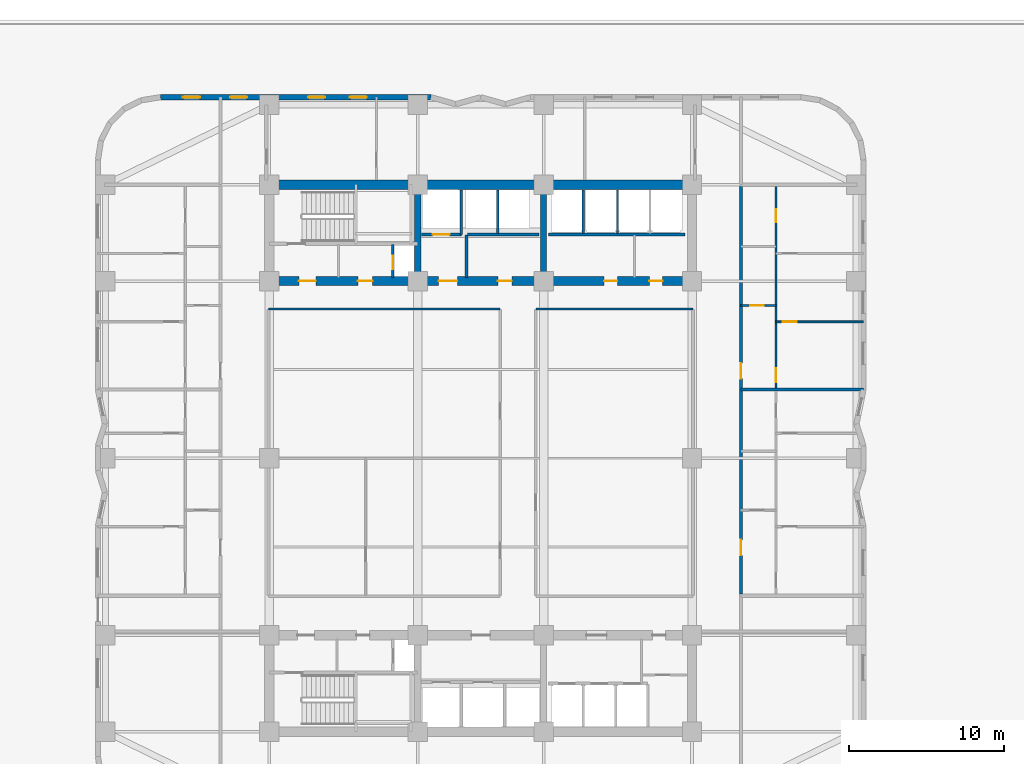
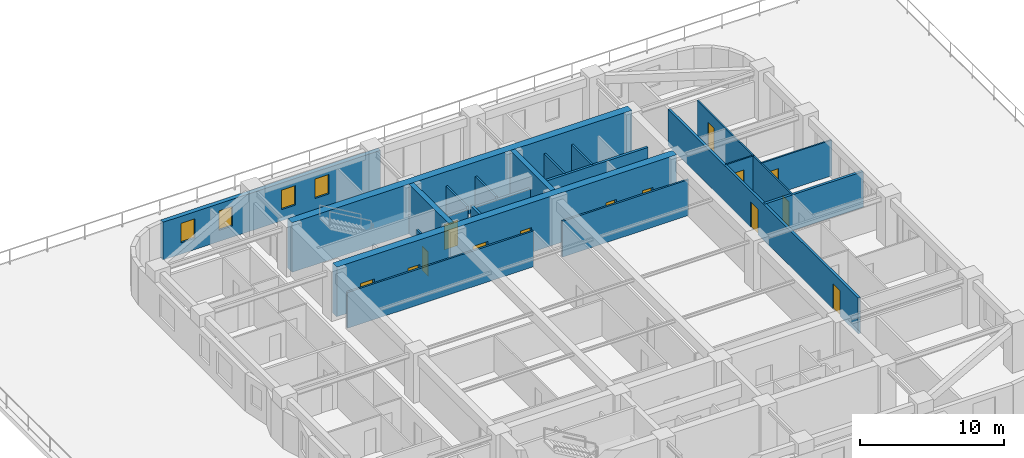
# One storey, part 6 of 11: 21 walls, 14 doors, 4 windows, 18 openings.
"""IFC4 building model written with IfcOpenShell, lengths in metres."""

from ifc_helpers import new_model, si_unit, direction, frame, frame_2d, origin, place, context, subcontext, project, spatial, rectangle, extrude, material, layer, layer_set, type_object, element, fill, save


model = new_model("IFC4")

# Units and contexts
model_context = context("Model", 3, precision=1e-05, world=origin(), true_north=direction((0.0, 1.0)))
body_context = subcontext(model_context, "Body", "Model", "MODEL_VIEW")
ifc_project = project(units=[si_unit("LENGTHUNIT", "METRE"), si_unit("AREAUNIT", "SQUARE_METRE"), si_unit("VOLUMEUNIT", "CUBIC_METRE"), si_unit("PLANEANGLEUNIT", "RADIAN"), si_unit("MASSUNIT", "GRAM", prefix="KILO")], contexts=[model_context])

# Site, building, storey
site_placement = place(None, origin())
site = spatial("IfcSite", under=ifc_project, at=site_placement, CompositionType="ELEMENT")
building_placement = place(site_placement, origin())
building = spatial("IfcBuilding", under=site, at=building_placement, Name="Svetorya Sky Lyceum", CompositionType="ELEMENT")
storey_placement = place(building_placement, frame((0.0, 0.0, 24.60009765625)))
storey = spatial("IfcBuildingStorey", under=building, at=storey_placement, Name="L05", CompositionType="ELEMENT", Elevation=24.60009765625)

# Walls
ifc_material_1 = material(Name="Concrete C40/50", Category="concrete")
ifc_layer_1 = layer(ifc_material_1, 0.39990234375)
ifc_layer_set_1 = layer_set([ifc_layer_1], Name="Concrete C40/50")
wall_type_1 = type_object("IfcWallType", Name="WL-CORE-400", PredefinedType="SHEAR", material=ifc_layer_set_1)
for number, where, z_axis, x_axis, name in (
    (1, (35.14990234375, 39.89990234375, 0.0), (0.0, 0.0, 1.0), (0.0, 1.0, 0.0), "L05 NC Internal Shear Web WEB1"),
    (2, (43.25, 39.89990234375, 0.0), (0.0, 0.0, 1.0), (0.0, 1.0, 0.0), "L05 NC Internal Shear Web WEB2"),
):
    element("IfcWall", number, at=place(storey_placement, frame(where, z_axis=z_axis, x_axis=x_axis)), inside=storey, type_object=wall_type_1, Name=name, PredefinedType="SHEAR", context=body_context, shape_type="SweptSolid", body=[
        extrude(rectangle(XDim=5.60009765625, YDim=0.39990234375, at=frame_2d((2.800048828125, 0.0))), origin(), (0.0, 0.0, 1.0), 4.199951171875),
    ])
ifc_material_2 = material(Name="Concrete C60/75", Category="concrete")
ifc_layer_2 = layer(ifc_material_2, 0.60009765625)
ifc_layer_set_2 = layer_set([ifc_layer_2], Name="Concrete C60/75")
wall_type_2 = type_object("IfcWallType", Name="WL-CORE-600", PredefinedType="SHEAR", material=ifc_layer_set_2)
wall_1_placement = place(storey_placement, frame((25.60009765625, 45.800048828125, 0.0), z_axis=(0.0, 0.0, 1.0), x_axis=(1.0, 0.0, 0.0)))
element("IfcWall", 3, at=wall_1_placement, inside=storey, type_object=wall_type_2, Name="L05 NC Outer Core Shear Wall", PredefinedType="SHEAR", context=body_context, shape_type="SweptSolid", body=[
    extrude(rectangle(XDim=27.199951171875, YDim=0.60009765625, at=frame_2d((13.60009765625, 0.0))), origin(), (0.0, 0.0, 1.0), 4.199951171875),
])

# Wall, openings, doors
wall_2_placement = place(storey_placement, frame((52.800048828125, 39.60009765625, 0.0), z_axis=(0.0, 0.0, 1.0), x_axis=(-1.0, 0.0, 0.0)))
wall_2 = element("IfcWall", 4, at=wall_2_placement, inside=storey, type_object=wall_type_2, Name="L05 NC Inner Core Shear Wall", PredefinedType="SHEAR", context=body_context, shape_type="SweptSolid", body=[
    extrude(rectangle(XDim=27.199951171875, YDim=0.60009765625, at=frame_2d((13.60009765625, 0.0))), origin(), (0.0, 0.0, 1.0), 4.199951171875),
])
opening_1_placement = place(wall_2_placement, frame((24.199951171875, 0.0, 0.0)))
opening_1 = element("IfcOpeningElement", 5, at=opening_1_placement, cuts=wall_2, Name="Opening D-ST1", PredefinedType="OPENING", context=body_context, shape_type="SweptSolid", body=[
    extrude(rectangle(XDim=1.10009765625, YDim=2.14990234375, at=frame_2d((0.550048828125, 1.074951171875))), frame((0.0, 0.31005859375, 0.0), z_axis=(0.0, -1.0, 0.0), x_axis=(1.0, 0.0, 0.0)), (0.0, 0.0, 1.0), 0.6201171875),
])
opening_2_placement = place(wall_2_placement, frame((20.550048828125, 0.0, 0.0)))
opening_2 = element("IfcOpeningElement", 6, at=opening_2_placement, cuts=wall_2, Name="Opening D-CAC1", PredefinedType="OPENING", context=body_context, shape_type="SweptSolid", body=[
    extrude(rectangle(XDim=0.949951171875, YDim=2.10009765625, at=frame_2d((0.47509765625, 1.050048828125))), frame((0.0, 0.31005859375, 0.0), z_axis=(0.0, -1.0, 0.0), x_axis=(1.0, 0.0, 0.0)), (0.0, 0.0, 1.0), 0.6201171875),
])
opening_3_placement = place(wall_2_placement, frame((15.10009765625, 0.0, 0.0)))
opening_3 = element("IfcOpeningElement", 7, at=opening_3_placement, cuts=wall_2, Name="Opening D-FL1", PredefinedType="OPENING", context=body_context, shape_type="SweptSolid", body=[
    extrude(rectangle(XDim=1.199951171875, YDim=2.14990234375, at=frame_2d((0.60009765625, 1.074951171875))), frame((0.0, 0.31005859375, 0.0), z_axis=(0.0, -1.0, 0.0), x_axis=(1.0, 0.0, 0.0)), (0.0, 0.0, 1.0), 0.6201171875),
])
opening_4_placement = place(wall_2_placement, frame((11.60009765625, 0.0, 0.0)))
opening_4 = element("IfcOpeningElement", 8, at=opening_4_placement, cuts=wall_2, Name="Opening D-RM1", PredefinedType="OPENING", context=body_context, shape_type="SweptSolid", body=[
    extrude(rectangle(XDim=0.89990234375, YDim=2.10009765625, at=frame_2d((0.449951171875, 1.050048828125))), frame((0.0, 0.31005859375, 0.0), z_axis=(0.0, -1.0, 0.0), x_axis=(1.0, 0.0, 0.0)), (0.0, 0.0, 1.0), 0.6201171875),
])
opening_5_placement = place(wall_2_placement, frame((4.800048828125, 0.0, 0.0)))
opening_5 = element("IfcOpeningElement", 9, at=opening_5_placement, cuts=wall_2, Name="Opening D-CWC1", PredefinedType="OPENING", context=body_context, shape_type="SweptSolid", body=[
    extrude(rectangle(XDim=0.85009765625, YDim=2.10009765625, at=frame_2d((0.425048828125, 1.050048828125))), frame((0.0, 0.31005859375, 0.0), z_axis=(0.0, -1.0, 0.0), x_axis=(1.0, 0.0, 0.0)), (0.0, 0.0, 1.0), 0.6201171875),
])
opening_6_placement = place(wall_2_placement, frame((1.89990234375, 0.0, 0.0)))
opening_6 = element("IfcOpeningElement", 10, at=opening_6_placement, cuts=wall_2, Name="Opening D-CWC1", PredefinedType="OPENING", context=body_context, shape_type="SweptSolid", body=[
    extrude(rectangle(XDim=0.85009765625, YDim=2.10009765625, at=frame_2d((0.425048828125, 1.050048828125))), frame((0.0, 0.31005859375, 0.0), z_axis=(0.0, -1.0, 0.0), x_axis=(1.0, 0.0, 0.0)), (0.0, 0.0, 1.0), 0.6201171875),
])
ifc_material_3 = material(Name="Fire-rated galvanized steel core accessible WC door", Category="steel")
door_type_1 = type_object("IfcDoorType", Name="DR-CACC-950", OperationType="SINGLE_SWING_LEFT", PredefinedType="DOOR", material=ifc_material_3)
door_1_placement = place(opening_2_placement, origin())
door_1 = element("IfcDoor", 11, at=door_1_placement, inside=storey, type_object=door_type_1, Name="L05 North Core Accessible WC Door", OperationType="SINGLE_SWING_RIGHT", OverallHeight=2.10009765625, OverallWidth=0.949951171875, PredefinedType="DOOR", context=body_context, shape_type="SweptSolid", body=[
    extrude(rectangle(XDim=0.949951171875, YDim=2.10009765625, at=frame_2d((0.47509765625, 1.050048828125))), frame((0.0, 0.02490234375, 0.0), z_axis=(0.0, -1.0, 0.0), x_axis=(1.0, 0.0, 0.0)), (0.0, 0.0, 1.0), 0.050048828125),
])
fill(opening_2, door_1)
ifc_material_4 = material(Name="Fire-rated galvanized steel core service closet door", Category="steel")
door_type_2 = type_object("IfcDoorType", Name="DR-CWET-850", OperationType="SINGLE_SWING_LEFT", PredefinedType="DOOR", material=ifc_material_4)
door_2_placement = place(opening_5_placement, origin())
door_2 = element("IfcDoor", 12, at=door_2_placement, inside=storey, type_object=door_type_2, Name="L05 North Pantry Door", OperationType="SINGLE_SWING_LEFT", OverallHeight=2.10009765625, OverallWidth=0.85009765625, PredefinedType="DOOR", context=body_context, shape_type="SweptSolid", body=[
    extrude(rectangle(XDim=0.85009765625, YDim=2.10009765625, at=frame_2d((0.425048828125, 1.050048828125))), frame((0.0, 0.02490234375, 0.0), z_axis=(0.0, -1.0, 0.0), x_axis=(1.0, 0.0, 0.0)), (0.0, 0.0, 1.0), 0.050048828125),
])
fill(opening_5, door_2)
door_3_placement = place(opening_6_placement, origin())
door_3 = element("IfcDoor", 13, at=door_3_placement, inside=storey, type_object=door_type_2, Name="L05 North Laundry Door", OperationType="SINGLE_SWING_RIGHT", OverallHeight=2.10009765625, OverallWidth=0.85009765625, PredefinedType="DOOR", context=body_context, shape_type="SweptSolid", body=[
    extrude(rectangle(XDim=0.85009765625, YDim=2.10009765625, at=frame_2d((0.425048828125, 1.050048828125))), frame((0.0, 0.02490234375, 0.0), z_axis=(0.0, -1.0, 0.0), x_axis=(1.0, 0.0, 0.0)), (0.0, 0.0, 1.0), 0.050048828125),
])
fill(opening_6, door_3)
ifc_material_5 = material(Name="Powder-coated insulated galvanized stair fire door")
door_type_3 = type_object("IfcDoorType", Name="DR-FIRE-1100", OperationType="SINGLE_SWING_LEFT", PredefinedType="DOOR", material=ifc_material_5)
door_4_placement = place(opening_1_placement, origin())
door_4 = element("IfcDoor", 14, at=door_4_placement, inside=storey, type_object=door_type_3, Name="L05 North Stair Airlock Door", OperationType="SINGLE_SWING_LEFT", OverallHeight=2.14990234375, OverallWidth=1.10009765625, PredefinedType="DOOR", context=body_context, shape_type="SweptSolid", body=[
    extrude(rectangle(XDim=1.10009765625, YDim=2.14990234375, at=frame_2d((0.550048828125, 1.074951171875))), frame((0.0, 0.02490234375, 0.0), z_axis=(0.0, -1.0, 0.0), x_axis=(1.0, 0.0, 0.0)), (0.0, 0.0, 1.0), 0.050048828125),
])
fill(opening_1, door_4)
ifc_material_6 = material(Name="Powder-coated insulated galvanized fire door")
door_type_4 = type_object("IfcDoorType", Name="DR-FIRE-1200", OperationType="SINGLE_SWING_LEFT", PredefinedType="DOOR", material=ifc_material_6)
door_5_placement = place(opening_3_placement, origin())
door_5 = element("IfcDoor", 15, at=door_5_placement, inside=storey, type_object=door_type_4, Name="L05 North Firefighting Lift Lobby Door", OperationType="SINGLE_SWING_RIGHT", OverallHeight=2.14990234375, OverallWidth=1.199951171875, PredefinedType="DOOR", context=body_context, shape_type="SweptSolid", body=[
    extrude(rectangle(XDim=1.199951171875, YDim=2.14990234375, at=frame_2d((0.60009765625, 1.074951171875))), frame((0.0, 0.02490234375, 0.0), z_axis=(0.0, -1.0, 0.0), x_axis=(1.0, 0.0, 0.0)), (0.0, 0.0, 1.0), 0.050048828125),
])
fill(opening_3, door_5)
ifc_material_7 = material(Name="Lacquered birch veneer internal door")
door_type_5 = type_object("IfcDoorType", Name="DR-INT-900", OperationType="SINGLE_SWING_LEFT", PredefinedType="DOOR", material=ifc_material_7)
door_6_placement = place(opening_4_placement, origin())
door_6 = element("IfcDoor", 16, at=door_6_placement, inside=storey, type_object=door_type_5, Name="L05 North Laundry Door", OperationType="SINGLE_SWING_RIGHT", OverallHeight=2.10009765625, OverallWidth=0.89990234375, PredefinedType="DOOR", context=body_context, shape_type="SweptSolid", body=[
    extrude(rectangle(XDim=0.89990234375, YDim=2.10009765625, at=frame_2d((0.449951171875, 1.050048828125))), frame((0.0, 0.02490234375, 0.0), z_axis=(0.0, -1.0, 0.0), x_axis=(1.0, 0.0, 0.0)), (0.0, 0.0, 1.0), 0.050048828125),
])
fill(opening_4, door_6)

# Wall, openings, windows
ifc_material_8 = material(Name="Putilovo limestone rainscreen on autoclaved cellular masonry", Category="masonry")
ifc_layer_3 = layer(ifc_material_8, 0.340087890625)
ifc_layer_set_3 = layer_set([ifc_layer_3], Name="Putilovo limestone rainscreen on autoclaved cellular masonry")
wall_type_3 = type_object("IfcWallType", Name="WL-EXT-340", PredefinedType="SOLIDWALL", material=ifc_layer_set_3)
wall_3_placement = place(storey_placement, frame((36.0, 51.429931640625, 0.0), z_axis=(0.0, 0.0, 1.0), x_axis=(-1.0, 0.0, 0.0)))
wall_3 = element("IfcWall", 17, at=wall_3_placement, inside=storey, type_object=wall_type_3, Name="L05 Limestone Exterior Wall 34M", PredefinedType="SOLIDWALL", context=body_context, shape_type="SweptSolid", body=[
    extrude(rectangle(XDim=17.39990234375, YDim=0.340087890625, at=frame_2d((8.699951171875, 0.0))), origin(), (0.0, 0.0, 1.0), 3.199951171875),
])
opening_7_placement = place(wall_3_placement, frame((4.125, 0.0, 0.949951171875)))
opening_7 = element("IfcOpeningElement", 18, at=opening_7_placement, cuts=wall_3, Name="Opening W-R3", PredefinedType="OPENING", context=body_context, shape_type="SweptSolid", body=[
    extrude(rectangle(XDim=1.10009765625, YDim=1.64990234375, at=frame_2d((0.550048828125, 0.824951171875))), frame((0.0, 0.179931640625, 0.0), z_axis=(0.0, -1.0, 0.0), x_axis=(1.0, 0.0, 0.0)), (0.0, 0.0, 1.0), 0.360107421875),
])
opening_8_placement = place(wall_3_placement, frame((6.808349609375, 0.0, 0.949951171875)))
opening_8 = element("IfcOpeningElement", 19, at=opening_8_placement, cuts=wall_3, Name="Opening W-R3", PredefinedType="OPENING", context=body_context, shape_type="SweptSolid", body=[
    extrude(rectangle(XDim=1.10009765625, YDim=1.64990234375, at=frame_2d((0.550048828125, 0.824951171875))), frame((0.0, 0.179931640625, 0.0), z_axis=(0.0, -1.0, 0.0), x_axis=(1.0, 0.0, 0.0)), (0.0, 0.0, 1.0), 0.360107421875),
])
opening_9_placement = place(wall_3_placement, frame((11.824951171875, 0.0, 0.949951171875)))
opening_9 = element("IfcOpeningElement", 20, at=opening_9_placement, cuts=wall_3, Name="Opening W-R3", PredefinedType="OPENING", context=body_context, shape_type="SweptSolid", body=[
    extrude(rectangle(XDim=1.10009765625, YDim=1.64990234375, at=frame_2d((0.550048828125, 0.824951171875))), frame((0.0, 0.179931640625, 0.0), z_axis=(0.0, -1.0, 0.0), x_axis=(1.0, 0.0, 0.0)), (0.0, 0.0, 1.0), 0.360107421875),
])
opening_10_placement = place(wall_3_placement, frame((14.8583984375, 0.0, 0.949951171875)))
opening_10 = element("IfcOpeningElement", 21, at=opening_10_placement, cuts=wall_3, Name="Opening W-R3", PredefinedType="OPENING", context=body_context, shape_type="SweptSolid", body=[
    extrude(rectangle(XDim=1.10009765625, YDim=1.64990234375, at=frame_2d((0.550048828125, 0.824951171875))), frame((0.0, 0.179931640625, 0.0), z_axis=(0.0, -1.0, 0.0), x_axis=(1.0, 0.0, 0.0)), (0.0, 0.0, 1.0), 0.360107421875),
])
ifc_material_9 = material(Name="Thermally broken aluminium frame with triple low-E glazing", Category="aluminium")
window_type = type_object("IfcWindowType", Name="WN-RES-110", PartitioningType="SINGLE_PANEL", PredefinedType="WINDOW", material=ifc_material_9)
window_1_placement = place(opening_7_placement, origin())
window_1 = element("IfcWindow", 22, at=window_1_placement, inside=storey, type_object=window_type, Name="L05 Facade Window W-R3.34M.1", OverallHeight=1.64990234375, OverallWidth=1.10009765625, PartitioningType="SINGLE_PANEL", PredefinedType="WINDOW", context=body_context, shape_type="SweptSolid", body=[
    extrude(rectangle(XDim=1.10009765625, YDim=1.64990234375, at=frame_2d((0.550048828125, 0.824951171875))), frame((0.0, 0.030029296875, 0.0), z_axis=(0.0, -1.0, 0.0), x_axis=(1.0, 0.0, 0.0)), (0.0, 0.0, 1.0), 0.06005859375),
])
fill(opening_7, window_1)
window_2_placement = place(opening_8_placement, origin())
window_2 = element("IfcWindow", 23, at=window_2_placement, inside=storey, type_object=window_type, Name="L05 Facade Window W-R3.34M.2", OverallHeight=1.64990234375, OverallWidth=1.10009765625, PartitioningType="SINGLE_PANEL", PredefinedType="WINDOW", context=body_context, shape_type="SweptSolid", body=[
    extrude(rectangle(XDim=1.10009765625, YDim=1.64990234375, at=frame_2d((0.550048828125, 0.824951171875))), frame((0.0, 0.030029296875, 0.0), z_axis=(0.0, -1.0, 0.0), x_axis=(1.0, 0.0, 0.0)), (0.0, 0.0, 1.0), 0.06005859375),
])
fill(opening_8, window_2)
window_3_placement = place(opening_9_placement, origin())
window_3 = element("IfcWindow", 24, at=window_3_placement, inside=storey, type_object=window_type, Name="L05 Facade Window W-R3.34M.3", OverallHeight=1.64990234375, OverallWidth=1.10009765625, PartitioningType="SINGLE_PANEL", PredefinedType="WINDOW", context=body_context, shape_type="SweptSolid", body=[
    extrude(rectangle(XDim=1.10009765625, YDim=1.64990234375, at=frame_2d((0.550048828125, 0.824951171875))), frame((0.0, 0.030029296875, 0.0), z_axis=(0.0, -1.0, 0.0), x_axis=(1.0, 0.0, 0.0)), (0.0, 0.0, 1.0), 0.06005859375),
])
fill(opening_9, window_3)
window_4_placement = place(opening_10_placement, origin())
window_4 = element("IfcWindow", 25, at=window_4_placement, inside=storey, type_object=window_type, Name="L05 Facade Window W-R3.34M.4", OverallHeight=1.64990234375, OverallWidth=1.10009765625, PartitioningType="SINGLE_PANEL", PredefinedType="WINDOW", context=body_context, shape_type="SweptSolid", body=[
    extrude(rectangle(XDim=1.10009765625, YDim=1.64990234375, at=frame_2d((0.550048828125, 0.824951171875))), frame((0.0, 0.030029296875, 0.0), z_axis=(0.0, -1.0, 0.0), x_axis=(1.0, 0.0, 0.0)), (0.0, 0.0, 1.0), 0.06005859375),
])
fill(opening_10, window_4)

# Wall, opening, door
ifc_material_10 = material(Name="Twin-stud galvanized framing with double fireboard", Category="gypsum")
ifc_layer_4 = layer(ifc_material_10, 0.1201171875)
ifc_layer_set_4 = layer_set([ifc_layer_4], Name="Twin-stud galvanized framing with double fireboard")
wall_type_4 = type_object("IfcWallType", Name="WL-PART-120", PredefinedType="PARTITIONING", material=ifc_layer_set_4)
wall_4_placement = place(storey_placement, frame((55.949951171875, 38.02490234375, 0.0), z_axis=(0.0, 0.0, 1.0), x_axis=(1.0, 0.0, 0.0)))
wall_4 = element("IfcWall", 26, at=wall_4_placement, inside=storey, type_object=wall_type_4, Name="L05 Interior Partition E2-WH1", PredefinedType="PARTITIONING", context=body_context, shape_type="SweptSolid", body=[
    extrude(rectangle(XDim=2.25, YDim=0.1201171875, at=frame_2d((1.125, 0.0))), origin(), (0.0, 0.0, 1.0), 3.02978515625),
])
opening_11_placement = place(wall_4_placement, frame((0.60009765625, 0.0, 0.0)))
opening_11 = element("IfcOpeningElement", 27, at=opening_11_placement, cuts=wall_4, Name="Opening D-BT1", PredefinedType="OPENING", context=body_context, shape_type="SweptSolid", body=[
    extrude(rectangle(XDim=0.85009765625, YDim=2.10009765625, at=frame_2d((0.425048828125, 1.050048828125))), frame((0.0, 0.070068359375, 0.0), z_axis=(0.0, -1.0, 0.0), x_axis=(1.0, 0.0, 0.0)), (0.0, 0.0, 1.0), 0.14013671875),
])
ifc_material_11 = material(Name="Moisture-resistant laminate bathroom door")
door_type_6 = type_object("IfcDoorType", Name="DR-WET-850", OperationType="SINGLE_SWING_LEFT", PredefinedType="DOOR", material=ifc_material_11)
door_7_placement = place(opening_11_placement, origin())
door_7 = element("IfcDoor", 28, at=door_7_placement, inside=storey, type_object=door_type_6, Name="Apartment E2 Bathroom Door", OperationType="SINGLE_SWING_LEFT", OverallHeight=2.10009765625, OverallWidth=0.85009765625, PredefinedType="DOOR", context=body_context, shape_type="SweptSolid", body=[
    extrude(rectangle(XDim=0.85009765625, YDim=2.10009765625, at=frame_2d((0.425048828125, 1.050048828125))), frame((0.0, 0.02490234375, 0.0), z_axis=(0.0, -1.0, 0.0), x_axis=(1.0, 0.0, 0.0)), (0.0, 0.0, 1.0), 0.050048828125),
])
fill(opening_11, door_7)

wall_5_placement = place(storey_placement, frame((58.199951171875, 36.97509765625, 0.0), z_axis=(0.0, 0.0, 1.0), x_axis=(1.0, 0.0, 0.0)))
wall_5 = element("IfcWall", 29, at=wall_5_placement, inside=storey, type_object=wall_type_4, Name="L05 Interior Partition E2-WL1", PredefinedType="PARTITIONING", context=body_context, shape_type="SweptSolid", body=[
    extrude(rectangle(XDim=5.630126953125, YDim=0.1201171875, at=frame_2d((2.81494140625, 0.0))), origin(), (0.0, 0.0, 1.0), 3.02978515625),
])
opening_12_placement = place(wall_5_placement, frame((0.449951171875, 0.0, 0.0)))
opening_12 = element("IfcOpeningElement", 30, at=opening_12_placement, cuts=wall_5, Name="Opening D-RM1", PredefinedType="OPENING", context=body_context, shape_type="SweptSolid", body=[
    extrude(rectangle(XDim=0.89990234375, YDim=2.10009765625, at=frame_2d((0.449951171875, 1.050048828125))), frame((0.0, 0.070068359375, 0.0), z_axis=(0.0, -1.0, 0.0), x_axis=(1.0, 0.0, 0.0)), (0.0, 0.0, 1.0), 0.14013671875),
])
door_8_placement = place(opening_12_placement, origin())
door_8 = element("IfcDoor", 31, at=door_8_placement, inside=storey, type_object=door_type_5, Name="Apartment E2 Master Bedroom Door", OperationType="SINGLE_SWING_LEFT", OverallHeight=2.10009765625, OverallWidth=0.89990234375, PredefinedType="DOOR", context=body_context, shape_type="SweptSolid", body=[
    extrude(rectangle(XDim=0.89990234375, YDim=2.10009765625, at=frame_2d((0.449951171875, 1.050048828125))), frame((0.0, 0.02490234375, 0.0), z_axis=(0.0, -1.0, 0.0), x_axis=(1.0, 0.0, 0.0)), (0.0, 0.0, 1.0), 0.050048828125),
])
fill(opening_12, door_8)

# Wall, openings, doors
wall_6_placement = place(storey_placement, frame((58.199951171875, 32.6650390625, 0.0), z_axis=(0.0, 0.0, 1.0), x_axis=(0.0, 1.0, 0.0)))
wall_6 = element("IfcWall", 32, at=wall_6_placement, inside=storey, type_object=wall_type_4, Name="L05 Interior Partition E2-WV", PredefinedType="PARTITIONING", context=body_context, shape_type="SweptSolid", body=[
    extrude(rectangle(XDim=13.094970703125, YDim=0.1201171875, at=frame_2d((6.54736328125, 0.0))), origin(), (0.0, 0.0, 1.0), 3.02978515625),
])
opening_13_placement = place(wall_6_placement, frame((0.409912109375, 0.0, 0.0)))
opening_13 = element("IfcOpeningElement", 33, at=opening_13_placement, cuts=wall_6, Name="Opening D-RM1", PredefinedType="OPENING", context=body_context, shape_type="SweptSolid", body=[
    extrude(rectangle(XDim=0.89990234375, YDim=2.10009765625, at=frame_2d((0.449951171875, 1.050048828125))), frame((0.0, 0.070068359375, 0.0), z_axis=(0.0, -1.0, 0.0), x_axis=(1.0, 0.0, 0.0)), (0.0, 0.0, 1.0), 0.14013671875),
])
opening_14_placement = place(wall_6_placement, frame((10.722412109375, 0.0, 0.0)))
opening_14 = element("IfcOpeningElement", 34, at=opening_14_placement, cuts=wall_6, Name="Opening D-BT2", PredefinedType="OPENING", context=body_context, shape_type="SweptSolid", body=[
    extrude(rectangle(XDim=0.820068359375, YDim=2.080078125, at=frame_2d((0.41015625, 1.0400390625))), frame((0.0, 0.070068359375, 0.0), z_axis=(0.0, -1.0, 0.0), x_axis=(1.0, 0.0, 0.0)), (0.0, 0.0, 1.0), 0.14013671875),
])
door_9_placement = place(opening_13_placement, origin())
door_9 = element("IfcDoor", 35, at=door_9_placement, inside=storey, type_object=door_type_5, Name="Apartment E2 Living Door", OperationType="SINGLE_SWING_RIGHT", OverallHeight=2.10009765625, OverallWidth=0.89990234375, PredefinedType="DOOR", context=body_context, shape_type="SweptSolid", body=[
    extrude(rectangle(XDim=0.89990234375, YDim=2.10009765625, at=frame_2d((0.449951171875, 1.050048828125))), frame((0.0, 0.02490234375, 0.0), z_axis=(0.0, -1.0, 0.0), x_axis=(1.0, 0.0, 0.0)), (0.0, 0.0, 1.0), 0.050048828125),
])
fill(opening_13, door_9)
ifc_material_12 = material(Name="Compact moisture-resistant laminate closet door")
door_type_7 = type_object("IfcDoorType", Name="DR-WET-820", OperationType="SINGLE_SWING_LEFT", PredefinedType="DOOR", material=ifc_material_12)
door_10_placement = place(opening_14_placement, origin())
door_10 = element("IfcDoor", 36, at=door_10_placement, inside=storey, type_object=door_type_7, Name="Apartment E2 Study Door", OperationType="SINGLE_SWING_LEFT", OverallHeight=2.080078125, OverallWidth=0.820068359375, PredefinedType="DOOR", context=body_context, shape_type="SweptSolid", body=[
    extrude(rectangle(XDim=0.820068359375, YDim=2.080078125, at=frame_2d((0.41015625, 1.0400390625))), frame((0.0, 0.02490234375, 0.0), z_axis=(0.0, -1.0, 0.0), x_axis=(1.0, 0.0, 0.0)), (0.0, 0.0, 1.0), 0.050048828125),
])
fill(opening_14, door_10)

# Wall, opening, door
ifc_material_13 = material(Name="Autoclaved cellular masonry blockwork with acoustic render", Category="masonry")
ifc_layer_5 = layer(ifc_material_13, 0.14990234375)
ifc_layer_set_5 = layer_set([ifc_layer_5], Name="Autoclaved cellular masonry blockwork with acoustic render")
wall_type_5 = type_object("IfcWallType", Name="WL-PART-150", PredefinedType="PARTITIONING", material=ifc_layer_set_5)
wall_7_placement = place(storey_placement, frame((33.550048828125, 39.820068359375, 0.0), z_axis=(0.0, 0.0, 1.0), x_axis=(0.0, 1.0, 0.0)))
wall_7 = element("IfcWall", 37, at=wall_7_placement, inside=storey, type_object=wall_type_5, Name="L05 Interior Partition NC-RSRW", PredefinedType="PARTITIONING", context=body_context, shape_type="SweptSolid", body=[
    extrude(rectangle(XDim=2.1298828125, YDim=0.14990234375, at=frame_2d((1.06494140625, 0.0))), origin(), (0.0, 0.0, 1.0), 3.02978515625),
])
opening_15_placement = place(wall_7_placement, frame((0.550048828125, 0.0, 0.0)))
opening_15 = element("IfcOpeningElement", 38, at=opening_15_placement, cuts=wall_7, Name="Opening D-SH1", PredefinedType="OPENING", context=body_context, shape_type="SweptSolid", body=[
    extrude(rectangle(XDim=0.85009765625, YDim=2.050048828125, at=frame_2d((0.425048828125, 1.02490234375))), frame((0.0, 0.0849609375, 0.0), z_axis=(0.0, -1.0, 0.0), x_axis=(1.0, 0.0, 0.0)), (0.0, 0.0, 1.0), 0.169921875),
])
ifc_material_14 = material(Name="Insulated galvanized riser inspection fire door")
door_type_8 = type_object("IfcDoorType", Name="DR-SHFT-850", OperationType="SINGLE_SWING_LEFT", PredefinedType="TRAPDOOR", material=ifc_material_14)
door_11_placement = place(opening_15_placement, origin())
door_11 = element("IfcDoor", 39, at=door_11_placement, inside=storey, type_object=door_type_8, Name="L05 North Riser Access Door", OperationType="SINGLE_SWING_LEFT", OverallHeight=2.050048828125, OverallWidth=0.85009765625, PredefinedType="TRAPDOOR", context=body_context, shape_type="SweptSolid", body=[
    extrude(rectangle(XDim=0.85009765625, YDim=2.050048828125, at=frame_2d((0.425048828125, 1.02490234375))), frame((0.0, 0.02490234375, 0.0), z_axis=(0.0, -1.0, 0.0), x_axis=(1.0, 0.0, 0.0)), (0.0, 0.0, 1.0), 0.050048828125),
])
fill(opening_15, door_11)

# Walls
wall_8_placement = place(storey_placement, frame((37.949951171875, 42.60009765625, 0.0), z_axis=(0.0, 0.0, 1.0), x_axis=(0.0, 1.0, 0.0)))
element("IfcWall", 40, at=wall_8_placement, inside=storey, type_object=wall_type_5, Name="L05 Interior Partition NC-FL1SIDE", PredefinedType="PARTITIONING", context=body_context, shape_type="SweptSolid", body=[
    extrude(rectangle(XDim=2.849853515625, YDim=0.14990234375, at=frame_2d((1.4248046875, 0.0))), origin(), (0.0, 0.0, 1.0), 3.02978515625),
])
for number, where, z_axis, x_axis, name in (
    (41, (40.300048828125, 42.64990234375, 0.0), (0.0, 0.0, 1.0), (0.0, 1.0, 0.0), "L05 Interior Partition NC-PM-D1"),
    (42, (45.800048828125, 42.64990234375, 0.0), (0.0, 0.0, 1.0), (0.0, 1.0, 0.0), "L05 Interior Partition NC-PM3-D"),
    (43, (48.0, 42.64990234375, 0.0), (0.0, 0.0, 1.0), (0.0, 1.0, 0.0), "L05 Interior Partition NC-PH-D1"),
):
    element("IfcWall", number, at=place(storey_placement, frame(where, z_axis=z_axis, x_axis=x_axis)), inside=storey, type_object=wall_type_5, Name=name, PredefinedType="PARTITIONING", context=body_context, shape_type="SweptSolid", body=[
        extrude(rectangle(XDim=2.800048828125, YDim=0.14990234375, at=frame_2d((1.39990234375, 0.0))), origin(), (0.0, 0.0, 1.0), 3.02978515625),
    ])
wall_9_placement = place(storey_placement, frame((25.550048828125, 37.800048828125, 0.0), z_axis=(0.0, 0.0, 1.0), x_axis=(1.0, 0.0, 0.0)))
element("IfcWall", 44, at=wall_9_placement, inside=storey, type_object=wall_type_5, Name="L05 Interior Partition CN-MID-W", PredefinedType="PARTITIONING", context=body_context, shape_type="SweptSolid", body=[
    extrude(rectangle(XDim=14.89990234375, YDim=0.14990234375, at=frame_2d((7.449951171875, 0.0))), origin(), (0.0, 0.0, 1.0), 3.02978515625),
])
wall_10_placement = place(storey_placement, frame((42.75, 37.800048828125, 0.0), z_axis=(0.0, 0.0, 1.0), x_axis=(1.0, 0.0, 0.0)))
element("IfcWall", 45, at=wall_10_placement, inside=storey, type_object=wall_type_5, Name="L05 Interior Partition CN-MID-E", PredefinedType="PARTITIONING", context=body_context, shape_type="SweptSolid", body=[
    extrude(rectangle(XDim=10.10009765625, YDim=0.14990234375, at=frame_2d((5.050048828125, 0.0))), origin(), (0.0, 0.0, 1.0), 3.02978515625),
])

# Wall, opening, door
ifc_material_15 = material(Name="Autoclaved cellular masonry blockwork with gypsum plaster", Category="masonry")
ifc_layer_6 = layer(ifc_material_15, 0.199951171875)
ifc_layer_set_6 = layer_set([ifc_layer_6], Name="Autoclaved cellular masonry blockwork with gypsum plaster")
wall_type_6 = type_object("IfcWallType", Name="WL-PART-200", PredefinedType="PARTITIONING", material=ifc_layer_set_6)
wall_11_placement = place(storey_placement, frame((37.949951171875, 42.60009765625, 0.0), z_axis=(0.0, 0.0, 1.0), x_axis=(-1.0, 0.0, 0.0)))
wall_11 = element("IfcWall", 46, at=wall_11_placement, inside=storey, type_object=wall_type_6, Name="L05 Interior Partition NC-FL1W", PredefinedType="PARTITIONING", context=body_context, shape_type="SweptSolid", body=[
    extrude(rectangle(XDim=2.550048828125, YDim=0.199951171875, at=frame_2d((1.27490234375, 0.0))), origin(), (0.0, 0.0, 1.0), 2.7998046875),
])
opening_16_placement = place(wall_11_placement, frame((0.75, 0.0, 0.0)))
opening_16 = element("IfcOpeningElement", 47, at=opening_16_placement, cuts=wall_11, Name="Opening LD-FL", PredefinedType="OPENING", context=body_context, shape_type="SweptSolid", body=[
    extrude(rectangle(XDim=1.10009765625, YDim=2.14990234375, at=frame_2d((0.550048828125, 1.074951171875))), frame((0.0, 0.10986328125, 0.0), z_axis=(0.0, -1.0, 0.0), x_axis=(1.0, 0.0, 0.0)), (0.0, 0.0, 1.0), 0.219970703125),
])
ifc_material_16 = material(Name="Fire-rated stainless AISI 304 firefighting lift landing door")
door_type_9 = type_object("IfcDoorType", Name="DR-LIFT-1100", OperationType="SLIDING_TO_LEFT", PredefinedType="DOOR", material=ifc_material_16)
door_12_placement = place(opening_16_placement, origin())
door_12 = element("IfcDoor", 48, at=door_12_placement, inside=storey, type_object=door_type_9, Name="L05 Firefighting Lift FL1 Landing Door", OperationType="SLIDING_TO_LEFT", OverallHeight=2.14990234375, OverallWidth=1.10009765625, PredefinedType="DOOR", context=body_context, shape_type="SweptSolid", body=[
    extrude(rectangle(XDim=1.10009765625, YDim=2.14990234375, at=frame_2d((0.550048828125, 1.074951171875))), frame((0.0, 0.02490234375, 0.0), z_axis=(0.0, -1.0, 0.0), x_axis=(1.0, 0.0, 0.0)), (0.0, 0.0, 1.0), 0.050048828125),
])
fill(opening_16, door_12)

# Walls
wall_12_placement = place(storey_placement, frame((38.280029296875, 39.820068359375, 0.0), z_axis=(0.0, 0.0, 1.0), x_axis=(0.0, 1.0, 0.0)))
element("IfcWall", 49, at=wall_12_placement, inside=storey, type_object=wall_type_6, Name="L05 Interior Partition NC-FFLDIV", PredefinedType="PARTITIONING", context=body_context, shape_type="SweptSolid", body=[
    extrude(rectangle(XDim=2.72998046875, YDim=0.199951171875, at=frame_2d((1.364990234375, 0.0))), origin(), (0.0, 0.0, 1.0), 3.02978515625),
])
wall_13_placement = place(storey_placement, frame((42.949951171875, 42.60009765625, 0.0), z_axis=(0.0, 0.0, 1.0), x_axis=(-1.0, 0.0, 0.0)))
element("IfcWall", 50, at=wall_13_placement, inside=storey, type_object=wall_type_6, Name="L05 Interior Partition NC-PM12W", PredefinedType="PARTITIONING", context=body_context, shape_type="SweptSolid", body=[
    extrude(rectangle(XDim=4.599853515625, YDim=0.199951171875, at=frame_2d((2.2998046875, 0.0))), origin(), (0.0, 0.0, 1.0), 2.7998046875),
])
wall_14_placement = place(storey_placement, frame((52.35009765625, 42.60009765625, 0.0), z_axis=(0.0, 0.0, 1.0), x_axis=(-1.0, 0.0, 0.0)))
element("IfcWall", 51, at=wall_14_placement, inside=storey, type_object=wall_type_6, Name="L05 Interior Partition NC-PHEW", PredefinedType="PARTITIONING", context=body_context, shape_type="SweptSolid", body=[
    extrude(rectangle(XDim=8.800048828125, YDim=0.199951171875, at=frame_2d((4.39990234375, 0.0))), origin(), (0.0, 0.0, 1.0), 3.02978515625),
])
wall_15_placement = place(storey_placement, frame((55.949951171875, 32.625, 0.0), z_axis=(0.0, 0.0, 1.0), x_axis=(1.0, 0.0, 0.0)))
element("IfcWall", 52, at=wall_15_placement, inside=storey, type_object=wall_type_6, Name="L05 Interior Partition E-PARTY-1", PredefinedType="PARTITIONING", context=body_context, shape_type="SweptSolid", body=[
    extrude(rectangle(XDim=7.880126953125, YDim=0.199951171875, at=frame_2d((3.93994140625, 0.0))), origin(), (0.0, 0.0, 1.0), 3.02978515625),
])

# Wall, openings, doors
wall_16_placement = place(storey_placement, frame((55.949951171875, 19.449951171875, 0.0), z_axis=(0.0, 0.0, 1.0), x_axis=(0.0, 1.0, 0.0)))
wall_16 = element("IfcWall", 53, at=wall_16_placement, inside=storey, type_object=wall_type_6, Name="L05 Interior Partition E-CORRW", PredefinedType="PARTITIONING", context=body_context, shape_type="SweptSolid", body=[
    extrude(rectangle(XDim=26.35009765625, YDim=0.199951171875, at=frame_2d((13.175048828125, 0.0))), origin(), (0.0, 0.0, 1.0), 3.02978515625),
])
opening_17_placement = place(wall_16_placement, frame((2.5, 0.0, 0.0)))
opening_17 = element("IfcOpeningElement", 54, at=opening_17_placement, cuts=wall_16, Name="Opening D-APT1", PredefinedType="OPENING", context=body_context, shape_type="SweptSolid", body=[
    extrude(rectangle(XDim=1.0, YDim=2.14990234375, at=frame_2d((0.5, 1.074951171875))), frame((0.0, 0.10986328125, 0.0), z_axis=(0.0, -1.0, 0.0), x_axis=(1.0, 0.0, 0.0)), (0.0, 0.0, 1.0), 0.219970703125),
])
opening_18_placement = place(wall_16_placement, frame((13.875, 0.0, 0.0)))
opening_18 = element("IfcOpeningElement", 55, at=opening_18_placement, cuts=wall_16, Name="Opening D-APT1", PredefinedType="OPENING", context=body_context, shape_type="SweptSolid", body=[
    extrude(rectangle(XDim=1.0, YDim=2.14990234375, at=frame_2d((0.5, 1.074951171875))), frame((0.0, 0.10986328125, 0.0), z_axis=(0.0, -1.0, 0.0), x_axis=(1.0, 0.0, 0.0)), (0.0, 0.0, 1.0), 0.219970703125),
])
ifc_material_17 = material(Name="Insulated oak-veneered apartment entrance door")
door_type_10 = type_object("IfcDoorType", Name="DR-APT-1000", OperationType="SINGLE_SWING_LEFT", PredefinedType="DOOR", material=ifc_material_17)
door_13_placement = place(opening_17_placement, origin())
door_13 = element("IfcDoor", 56, at=door_13_placement, inside=storey, type_object=door_type_10, Name="L05 Apartment E1 Entrance Door", OperationType="SINGLE_SWING_RIGHT", OverallHeight=2.14990234375, OverallWidth=1.0, PredefinedType="DOOR", context=body_context, shape_type="SweptSolid", body=[
    extrude(rectangle(XDim=1.0, YDim=2.14990234375, at=frame_2d((0.5, 1.074951171875))), frame((0.0, 0.02490234375, 0.0), z_axis=(0.0, -1.0, 0.0), x_axis=(1.0, 0.0, 0.0)), (0.0, 0.0, 1.0), 0.050048828125),
])
fill(opening_17, door_13)
door_14_placement = place(opening_18_placement, origin())
door_14 = element("IfcDoor", 57, at=door_14_placement, inside=storey, type_object=door_type_10, Name="L05 Apartment E2 Entrance Door", OperationType="SINGLE_SWING_LEFT", OverallHeight=2.14990234375, OverallWidth=1.0, PredefinedType="DOOR", context=body_context, shape_type="SweptSolid", body=[
    extrude(rectangle(XDim=1.0, YDim=2.14990234375, at=frame_2d((0.5, 1.074951171875))), frame((0.0, 0.02490234375, 0.0), z_axis=(0.0, -1.0, 0.0), x_axis=(1.0, 0.0, 0.0)), (0.0, 0.0, 1.0), 0.050048828125),
])
fill(opening_18, door_14)

save(model, "model.ifc")
